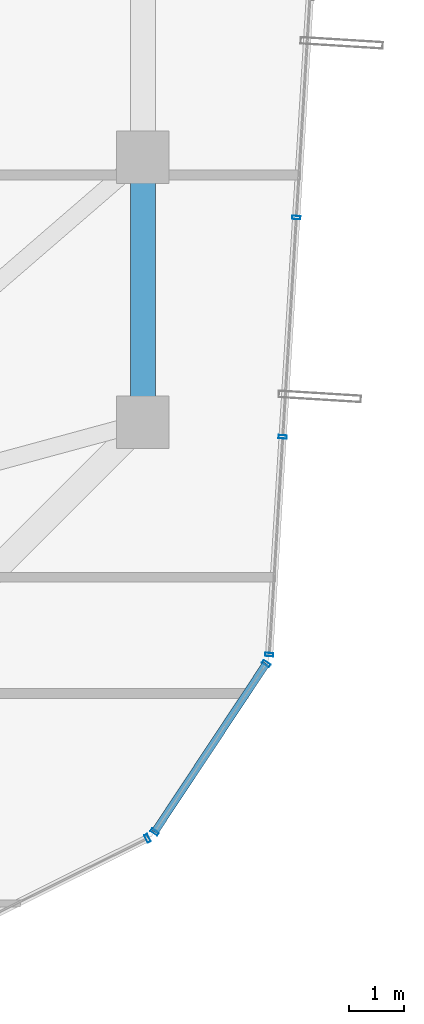
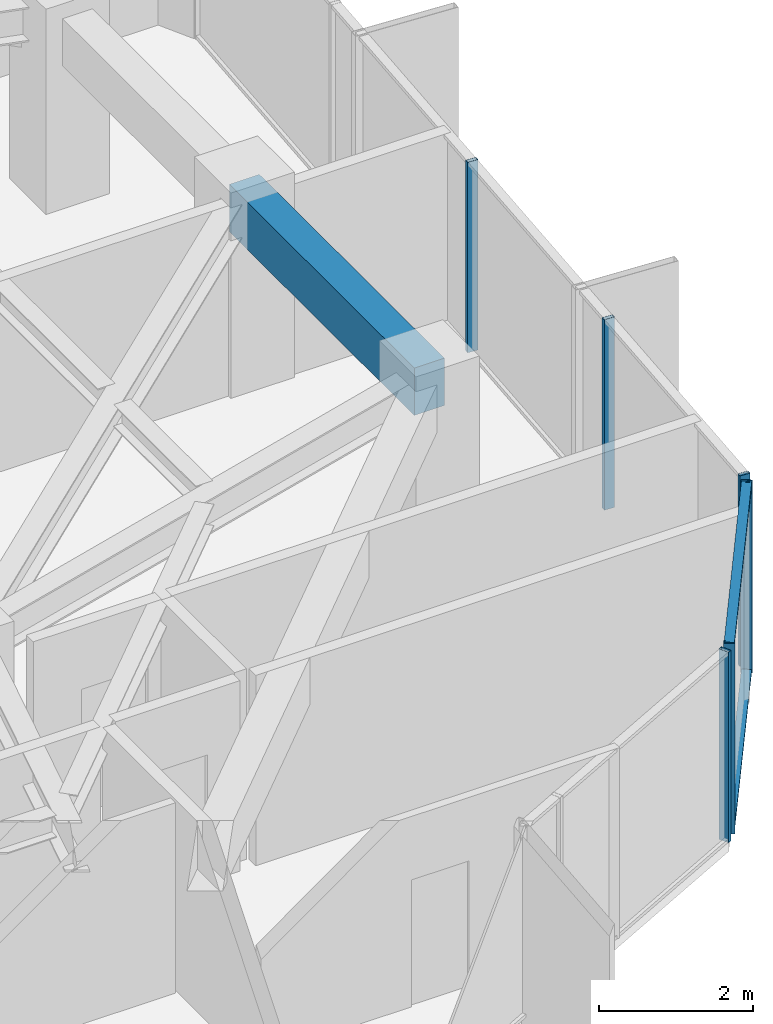
# One storey, part 15 of 29: 8 members, 1 beam, 3 elements without a shape of their own.
"""IFC4 building model written with IfcOpenShell, lengths in metres."""

from ifc_helpers import new_model, si_unit, direction, frame, origin, origin_2d, place, context, subcontext, project, spatial, rectangle, hollow_rectangle, extrude, source, transform, mapped, material, layer, layer_set, material_profile, profile_set, type_object, element, aggregate, save


model = new_model("IFC4")

# Units and contexts
model_context = context("Model", 3, precision=1e-05, world=origin(), true_north=direction((0.0, 1.0)))
body_context = subcontext(model_context, "Body", "Model", "MODEL_VIEW")
ifc_project = project(units=[si_unit("LENGTHUNIT", "METRE"), si_unit("AREAUNIT", "SQUARE_METRE"), si_unit("VOLUMEUNIT", "CUBIC_METRE"), si_unit("PLANEANGLEUNIT", "RADIAN"), si_unit("MASSUNIT", "GRAM", prefix="KILO")], contexts=[model_context])

# Site, building, storey
site_placement = place(None, origin())
site = spatial("IfcSite", under=ifc_project, at=site_placement, CompositionType="ELEMENT")
building_placement = place(site_placement, origin())
building = spatial("IfcBuilding", under=site, at=building_placement, Name="Veraguas Prism Commons", CompositionType="ELEMENT")
storey_placement = place(building_placement, frame((0.0, 0.0, 218.89990234375)))
storey = spatial("IfcBuildingStorey", under=building, at=storey_placement, Name="L62", CompositionType="ELEMENT", Elevation=218.89990234375)

# Beam
ifc_material_1 = material(Name="Concrete C50/60", Category="concrete")
ifc_material_profile_1 = material_profile(ifc_material_1, rectangle(XDim=0.449951171875, YDim=0.75, at=origin_2d()), Name="RC450X750")
ifc_profile_set_1 = profile_set([ifc_material_profile_1], Name="Concrete C50/60")
beam_type = type_object("IfcBeamType", Name="Perimeter Spandrel Upper RC 450x750", PredefinedType="SPANDREL", material=ifc_profile_set_1)
beam_placement = place(storey_placement, frame((38.89990234375, 19.199951171875, 2.64013671875), z_axis=(0.0, 1.0, 0.0), x_axis=(-1.0, 0.0, 0.0)))
element("IfcBeam", 1, at=beam_placement, inside=storey, type_object=beam_type, Name="Perimeter Spandrel Beam L62-SP01", PredefinedType="SPANDREL", context=body_context, shape_type="SweptSolid", body=[
    extrude(rectangle(XDim=0.449951171875, YDim=0.75, at=origin_2d()), origin(), (0.0, 0.0, 1.0), 4.800048828125),
])

# Curtain wall, members
ifc_material_2 = material(Name="Anodised aluminium EN AW-6063 T6", Category="aluminium")
ifc_layer = layer(ifc_material_2, 0.14990234375, Name="Unitised Flush Curtain Wall Zone 3", Category="aluminium")
ifc_layer_set = layer_set([ifc_layer], Name="Anodised aluminium EN AW-6063 T6")
curtain_wall_type = type_object("IfcCurtainWallType", Name="Unitised Flush Curtain Wall Zone 3", PredefinedType="NOTDEFINED", material=ifc_layer_set)
curtain_wall_1_placement = place(storey_placement, origin())
curtain_wall_1 = element("IfcCurtainWall", 2, at=curtain_wall_1_placement, inside=storey, type_object=curtain_wall_type, Name="Chamfer Curtain Wall L62-C6", PredefinedType="NOTDEFINED")
ifc_material_profile_2 = material_profile(ifc_material_2, hollow_rectangle(XDim=0.054931640625, YDim=0.135009765625, WallThickness=0.0029296875, at=origin_2d()), Name="AL55X135X3")
ifc_profile_set_2 = profile_set([ifc_material_profile_2], Name="Anodised aluminium EN AW-6063 T6")
member_type_1 = type_object("IfcMemberType", Name="Curtain Wall Transom Standard AL 55x135x3", PredefinedType="USERDEFINED", material=ifc_profile_set_2)
shared_shape_1 = source(origin(), body_context, "Body", "SweptSolid", [
    extrude(hollow_rectangle(XDim=0.054931640625, YDim=0.135009765625, WallThickness=0.0029296875, at=origin_2d()), origin(), (0.0, 0.0, 1.0), 3.654296875),
])
member_1_placement = place(storey_placement, frame((39.113037109375, 11.78955078125, 0.027587890625), z_axis=(0.552509002217, 0.833506930067, 0.0), x_axis=(0.0, 0.0, 1.0)))
member_1 = element("IfcMember", 3, at=member_1_placement, type_object=member_type_1, Name="CW-Z3 Transom 1", ObjectType="TRANSOM", PredefinedType="USERDEFINED", context=body_context, shape_type="MappedRepresentation", body=[
    mapped(shared_shape_1, transform((0.0, 0.0, 0.0), scale=1.0)),
])
member_2_placement = place(storey_placement, frame((39.113037109375, 11.78955078125, 2.987548828125), z_axis=(0.552509002217, 0.833506930067, 0.0), x_axis=(0.0, 0.0, 1.0)))
member_2 = element("IfcMember", 4, at=member_2_placement, type_object=member_type_1, Name="CW-Z3 Transom 2", ObjectType="TRANSOM", PredefinedType="USERDEFINED", context=body_context, shape_type="MappedRepresentation", body=[
    mapped(shared_shape_1, transform((0.0, 0.0, 0.0), scale=1.0)),
])

# Curtain wall, member
curtain_wall_2_placement = place(storey_placement, origin())
curtain_wall_2 = element("IfcCurtainWall", 5, at=curtain_wall_2_placement, inside=storey, type_object=curtain_wall_type, Name="Tower Facade Curtain Wall L62-F5", PredefinedType="NOTDEFINED")
ifc_material_profile_3 = material_profile(ifc_material_2, hollow_rectangle(XDim=0.06005859375, YDim=0.14990234375, WallThickness=0.0029296875, at=origin_2d()), Name="AL60X150X3")
ifc_profile_set_3 = profile_set([ifc_material_profile_3], Name="Anodised aluminium EN AW-6063 T6")
member_type_2 = type_object("IfcMemberType", Name="Curtain Wall Mullion Upper AL 60x150x3", PredefinedType="MULLION", material=ifc_profile_set_3)
shared_shape_2 = source(origin(), body_context, "Body", "SweptSolid", [
    extrude(hollow_rectangle(XDim=0.06005859375, YDim=0.14990234375, WallThickness=0.0029296875, at=origin_2d()), origin(), (0.0, 0.0, 1.0), 3.01513671875),
])
member_3_placement = place(storey_placement, frame((38.982666015625, 11.674560546875, 0.0), z_axis=(0.0, 0.0, 1.0), x_axis=(0.895243315298, 0.445577609866, 0.0)))
member_3 = element("IfcMember", 6, at=member_3_placement, type_object=member_type_2, Name="CW-Z3 Mullion 5", PredefinedType="MULLION", context=body_context, shape_type="MappedRepresentation", body=[
    mapped(shared_shape_2, transform((0.0, 0.0, 0.0), scale=1.0)),
])
aggregate(curtain_wall_2, [member_3])

# Curtain wall, members
curtain_wall_3_placement = place(storey_placement, origin())
curtain_wall_3 = element("IfcCurtainWall", 7, at=curtain_wall_3_placement, inside=storey, type_object=curtain_wall_type, Name="Tower Facade Curtain Wall L62-F6", PredefinedType="NOTDEFINED")
member_4_placement = place(storey_placement, frame((41.187255859375, 15.000244140625, 0.0), z_axis=(0.0, 0.0, 1.0), x_axis=(0.061745354146, 0.998091935265, 0.0)))
member_4 = element("IfcMember", 8, at=member_4_placement, type_object=member_type_2, Name="CW-Z3 Mullion 1", PredefinedType="MULLION", context=body_context, shape_type="MappedRepresentation", body=[
    mapped(shared_shape_2, transform((0.0, 0.0, 0.0), scale=1.0)),
])
member_5_placement = place(storey_placement, frame((41.430908203125, 18.9384765625, 0.0), z_axis=(0.0, 0.0, 1.0), x_axis=(0.061745354146, 0.998091935265, 0.0)))
member_5 = element("IfcMember", 9, at=member_5_placement, type_object=member_type_2, Name="CW-Z3 Mullion 2", PredefinedType="MULLION", context=body_context, shape_type="MappedRepresentation", body=[
    mapped(shared_shape_2, transform((0.0, 0.0, 0.0), scale=1.0)),
])
member_6_placement = place(storey_placement, frame((41.676513671875, 22.906494140625, 0.0), z_axis=(0.0, 0.0, 1.0), x_axis=(0.061745354146, 0.998091935265, 0.0)))
member_6 = element("IfcMember", 10, at=member_6_placement, type_object=member_type_2, Name="CW-Z3 Mullion 3", PredefinedType="MULLION", context=body_context, shape_type="MappedRepresentation", body=[
    mapped(shared_shape_2, transform((0.0, 0.0, 0.0), scale=1.0)),
])
aggregate(curtain_wall_3, [member_4, member_5, member_6])

# Member
member_7_placement = place(storey_placement, frame((39.113037109375, 11.78955078125, 0.0), z_axis=(0.0, 0.0, 1.0), x_axis=(0.552511739205, 0.833505115786, 0.0)))
member_7 = element("IfcMember", 11, at=member_7_placement, type_object=member_type_2, Name="CW-Z3 Mullion 1", PredefinedType="MULLION", context=body_context, shape_type="MappedRepresentation", body=[
    mapped(shared_shape_2, transform((0.0, 0.0, 0.0), scale=1.0)),
])

member_8_placement = place(storey_placement, frame((41.132080078125, 14.83544921875, 0.0), z_axis=(0.0, 0.0, 1.0), x_axis=(0.552511739205, 0.833505115786, 0.0)))
member_8 = element("IfcMember", 12, at=member_8_placement, type_object=member_type_2, Name="CW-Z3 Mullion 2", PredefinedType="MULLION", context=body_context, shape_type="MappedRepresentation", body=[
    mapped(shared_shape_2, transform((0.0, 0.0, 0.0), scale=1.0)),
])

aggregate(curtain_wall_1, [member_7, member_8, member_1, member_2])

save(model, "model.ifc")
